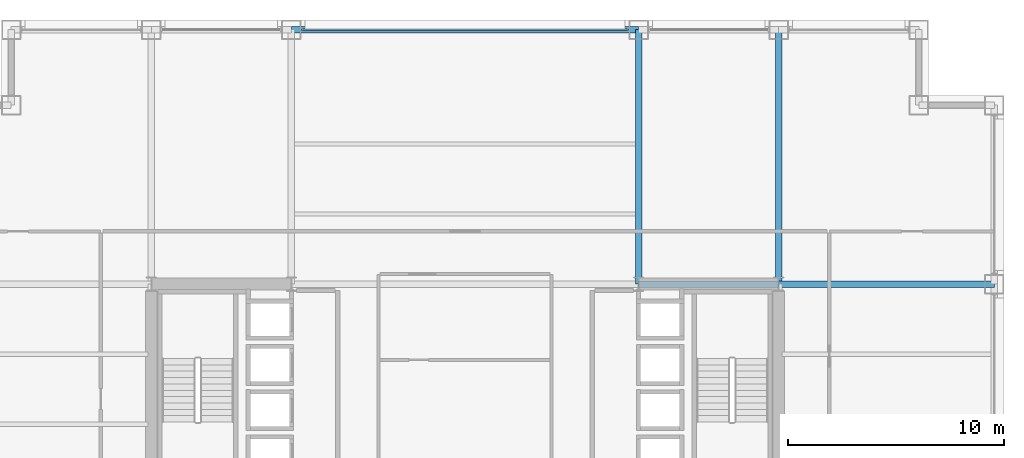
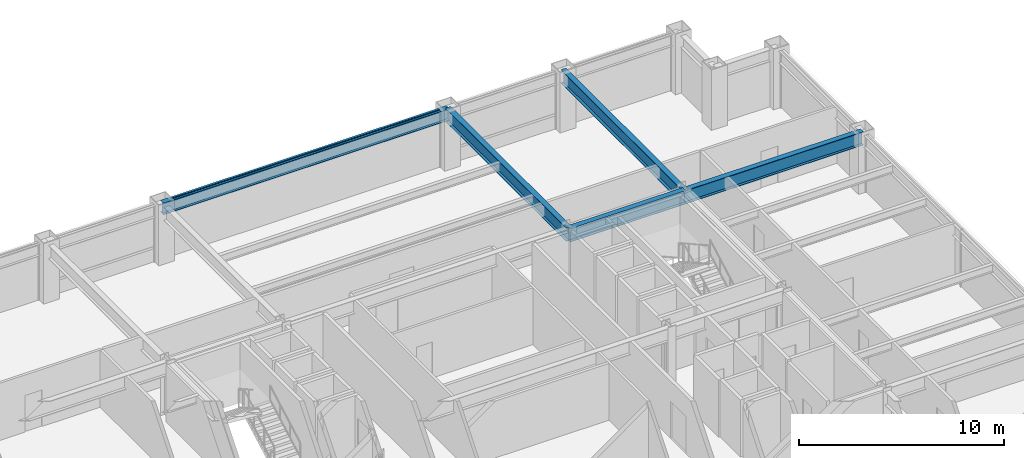
# One storey, part 20 of 29: 5 beams, 1 member, 1 element without a shape of its own.
"""IFC4 building model written with IfcOpenShell, lengths in metres."""

from ifc_helpers import new_model, si_unit, direction, frame, origin, origin_2d, place, context, subcontext, project, spatial, hollow_rectangle, i_section, extrude, material, layer, layer_set, material_profile, profile_set, type_object, element, aggregate, save


model = new_model("IFC4")

# Units and contexts
model_context = context("Model", 3, precision=1e-05, world=origin(), true_north=direction((0.0, 1.0)))
body_context = subcontext(model_context, "Body", "Model", "MODEL_VIEW")
ifc_project = project(units=[si_unit("LENGTHUNIT", "METRE"), si_unit("AREAUNIT", "SQUARE_METRE"), si_unit("VOLUMEUNIT", "CUBIC_METRE"), si_unit("PLANEANGLEUNIT", "RADIAN"), si_unit("MASSUNIT", "GRAM", prefix="KILO")], contexts=[model_context])

# Site, building, storey
site_placement = place(None, origin())
site = spatial("IfcSite", under=ifc_project, at=site_placement, CompositionType="ELEMENT")
building_placement = place(site_placement, origin())
building = spatial("IfcBuilding", under=site, at=building_placement, Name="Brelmoor Portico Tower", CompositionType="ELEMENT")
storey_placement = place(building_placement, frame((0.0, 0.0, 60.0)))
storey = spatial("IfcBuildingStorey", under=building, at=storey_placement, Name="L15", CompositionType="ELEMENT", Elevation=60.0)

# Beams
ifc_material_1 = material(Name="Steel Q355B", Category="steel")
ifc_material_profile_1 = material_profile(ifc_material_1, i_section(OverallWidth=0.300048828125, OverallDepth=0.800048828125, WebThickness=0.013916015625, FlangeThickness=0.02587890625, at=origin_2d()), Name="HN 800x300x14x26")
ifc_profile_set_1 = profile_set([ifc_material_profile_1], Name="Steel Q355B")
beam_type_1 = type_object("IfcBeamType", Name="BM-PG-800", PredefinedType="BEAM", material=ifc_profile_set_1)
for number, where, z_axis, x_axis, name in (
    (1, (8.050048828125, 9.75, 3.0), (0.0, 1.0, 0.0), (-1.0, 0.0, 0.0), "L15 Primary Floor Girder PG-10"),
    (2, (14.550048828125, 9.75, 3.0), (0.0, 1.0, 0.0), (-1.0, 0.0, 0.0), "L15 Primary Floor Girder PG-14"),
):
    element("IfcBeam", number, at=place(storey_placement, frame(where, z_axis=z_axis, x_axis=x_axis)), inside=storey, type_object=beam_type_1, Name=name, PredefinedType="BEAM", context=body_context, shape_type="SweptSolid", body=[
        extrude(i_section(OverallWidth=0.300048828125, OverallDepth=0.800048828125, WebThickness=0.013916015625, FlangeThickness=0.02587890625, at=origin_2d()), origin(), (0.0, 0.0, 1.0), 11.800048828125),
    ])
beam_1_placement = place(storey_placement, frame((8.050048828125, 9.75, 3.0), z_axis=(1.0, 0.0, 0.0), x_axis=(0.0, 1.0, 0.0)))
element("IfcBeam", 3, at=beam_1_placement, inside=storey, type_object=beam_type_1, Name="L15 Primary Floor Girder PG-30", PredefinedType="BEAM", context=body_context, shape_type="SweptSolid", body=[
    extrude(i_section(OverallWidth=0.300048828125, OverallDepth=0.800048828125, WebThickness=0.013916015625, FlangeThickness=0.02587890625, at=origin_2d()), origin(), (0.0, 0.0, 1.0), 6.5),
])
beam_2_placement = place(storey_placement, frame((14.550048828125, 9.75, 3.0), z_axis=(1.0, 0.0, 0.0), x_axis=(0.0, 1.0, 0.0)))
element("IfcBeam", 4, at=beam_2_placement, inside=storey, type_object=beam_type_1, Name="L15 Primary Floor Girder PG-31", PredefinedType="BEAM", context=body_context, shape_type="SweptSolid", body=[
    extrude(i_section(OverallWidth=0.300048828125, OverallDepth=0.800048828125, WebThickness=0.013916015625, FlangeThickness=0.02587890625, at=origin_2d()), origin(), (0.0, 0.0, 1.0), 10.0),
])
ifc_material_profile_2 = material_profile(ifc_material_1, i_section(OverallWidth=0.300048828125, OverallDepth=0.699951171875, WebThickness=0.012939453125, FlangeThickness=0.02392578125, at=origin_2d()), Name="HN 700x300x13x24")
ifc_profile_set_2 = profile_set([ifc_material_profile_2], Name="Steel Q355B")
beam_type_2 = type_object("IfcBeamType", Name="BM-SP-700", PredefinedType="SPANDREL", material=ifc_profile_set_2)
beam_3_placement = place(storey_placement, frame((-8.050048828125, 21.550048828125, 3.050048828125), z_axis=(1.0, 0.0, 0.0), x_axis=(0.0, 1.0, 0.0)))
element("IfcBeam", 5, at=beam_3_placement, inside=storey, type_object=beam_type_2, Name="L15 Perimeter Spandrel Beam SP-12", PredefinedType="SPANDREL", context=body_context, shape_type="SweptSolid", body=[
    extrude(i_section(OverallWidth=0.300048828125, OverallDepth=0.699951171875, WebThickness=0.012939453125, FlangeThickness=0.02392578125, at=origin_2d()), origin(), (0.0, 0.0, 1.0), 16.10009765625),
])

# Curtain wall, member
ifc_material_2 = material(Name="Anodised Aluminium Alloy 6063-T6", Category="aluminium")
ifc_layer = layer(ifc_material_2, 0.179931640625)
ifc_layer_set = layer_set([ifc_layer], Name="Anodised Aluminium Alloy 6063-T6")
curtain_wall_type = type_object("IfcCurtainWallType", Name="CW-TOWER-Z1-XB", PredefinedType="NOTDEFINED", material=ifc_layer_set)
curtain_wall_placement = place(storey_placement, origin())
curtain_wall = element("IfcCurtainWall", 6, at=curtain_wall_placement, inside=storey, type_object=curtain_wall_type, Name="L15 Curtain Wall CW-L15-02-3", PredefinedType="NOTDEFINED")
ifc_material_profile_3 = material_profile(ifc_material_2, hollow_rectangle(XDim=0.06494140625, YDim=0.139892578125, WallThickness=0.00390625, at=origin_2d()), Name="ALU TRANSOM 65x140")
ifc_profile_set_3 = profile_set([ifc_material_profile_3], Name="Anodised Aluminium Alloy 6063-T6")
member_type = type_object("IfcMemberType", Name="MB-CW-TRAN-140", PredefinedType="USERDEFINED", material=ifc_profile_set_3)
member_placement = place(storey_placement, frame((-7.590087890625, 21.550048828125, 3.330078125), z_axis=(1.0, 0.0, 0.0), x_axis=(0.0, 1.0, 0.0)))
member = element("IfcMember", 7, at=member_placement, type_object=member_type, Name="CW-L15-02-3 Transom 1-00", ObjectType="TRANSOM", PredefinedType="USERDEFINED", context=body_context, shape_type="SweptSolid", body=[
    extrude(hollow_rectangle(XDim=0.06494140625, YDim=0.139892578125, WallThickness=0.00390625, at=origin_2d()), origin(), (0.0, 0.0, 1.0), 15.18017578125),
])
aggregate(curtain_wall, [member])

save(model, "model.ifc")
